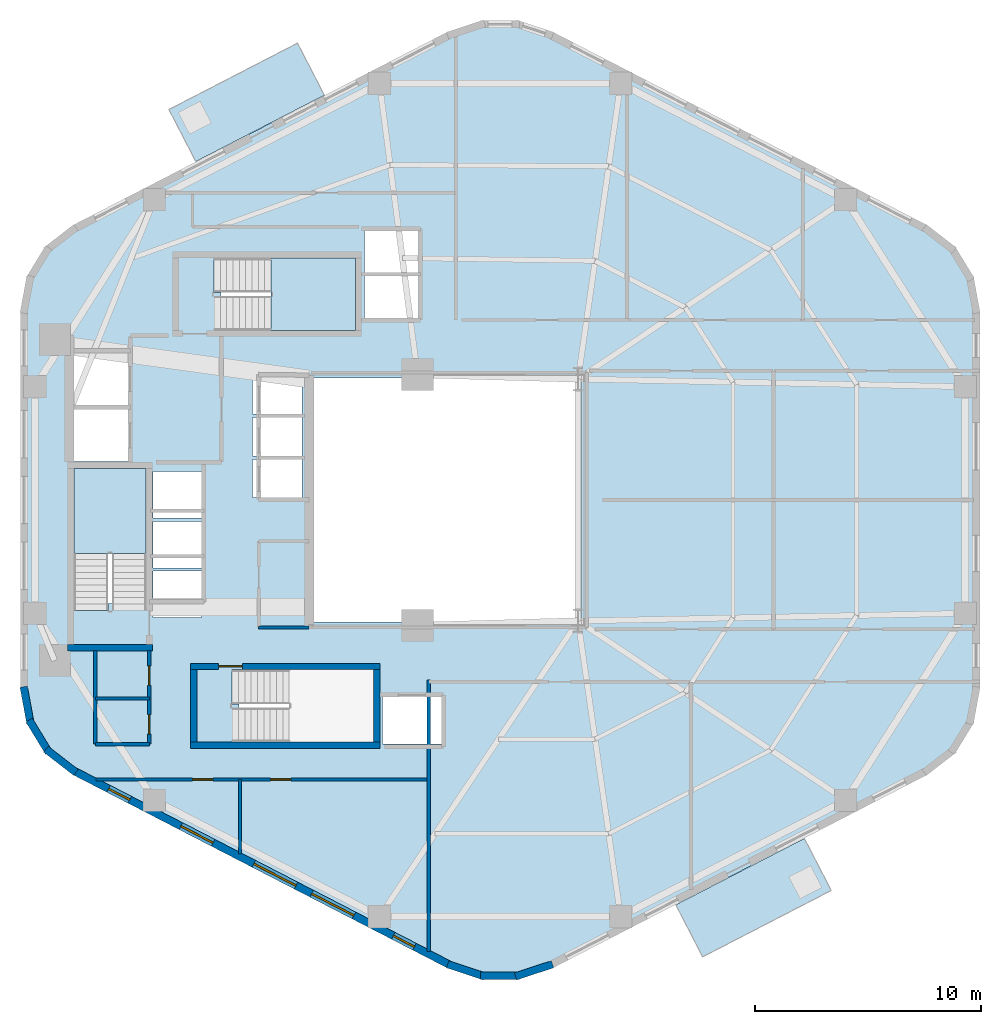
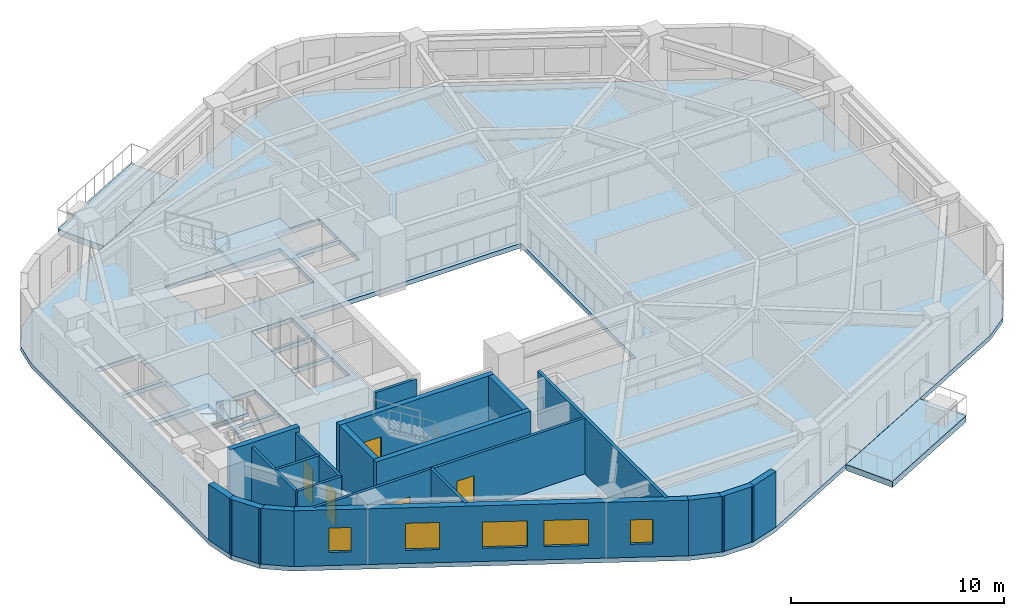
# One storey, part 2 of 8: 20 walls, 5 doors, 5 slabs, 5 windows, 10 openings, 2 elements without a shape of their own.
"""IFC4 building model written with IfcOpenShell, lengths in metres."""

from ifc_helpers import new_model, si_unit, direction, frame, frame_2d, origin, place, context, subcontext, project, spatial, polyline, rectangle, outline, extrude, material, layer, layer_set, type_object, element, fill, aggregate, save


model = new_model("IFC4")

# Units and contexts
model_context = context("Model", 3, precision=1e-05, world=origin(), true_north=direction((0.0, 1.0)))
body_context = subcontext(model_context, "Body", "Model", "MODEL_VIEW")
ifc_project = project(units=[si_unit("LENGTHUNIT", "METRE"), si_unit("AREAUNIT", "SQUARE_METRE"), si_unit("VOLUMEUNIT", "CUBIC_METRE"), si_unit("PLANEANGLEUNIT", "RADIAN"), si_unit("MASSUNIT", "GRAM", prefix="KILO"), si_unit("THERMODYNAMICTEMPERATUREUNIT", "KELVIN"), si_unit("POWERUNIT", "WATT")], contexts=[model_context])

# Site, building, storey
site_placement = place(None, origin())
site = spatial("IfcSite", under=ifc_project, at=site_placement, CompositionType="ELEMENT")
building_placement = place(site_placement, origin())
building = spatial("IfcBuilding", under=site, at=building_placement, Name="Skarre Station Tower", CompositionType="ELEMENT")
storey_placement = place(building_placement, frame((0.0, 0.0, 153.300048828125)))
storey = spatial("IfcBuildingStorey", under=building, at=storey_placement, Name="L41", CompositionType="ELEMENT", Elevation=153.300048828125)

# Slabs
ifc_material_1 = material(Name="Precast concrete C50/60", Category="concrete")
ifc_layer_1 = layer(ifc_material_1, 0.340087890625, Name="Precast concrete C50/60")
ifc_layer_set_1 = layer_set([ifc_layer_1], Name="Precast concrete C50/60")
slab_type_1 = type_object("IfcSlabType", Name="Planted Tree-Balcony Cantilever Slab 340", PredefinedType="FLOOR", material=ifc_layer_set_1)
slab_1_placement = place(storey_placement, frame((0.0, 0.0, -0.340087890625)))
element("IfcSlab", 1, at=slab_1_placement, inside=storey, type_object=slab_type_1, Name="L41 Planted Tree-Balcony Deck TB-L41-F1", PredefinedType="FLOOR", context=body_context, shape_type="SweptSolid", body=[
    extrude(outline(polyline([(28.22998046875, 41.902099609375), (22.54296875, 38.966064453125), (21.35498046875, 41.26806640625), (27.0419921875, 44.202880859375), (28.22998046875, 41.902099609375)])), origin(), (0.0, 0.0, 1.0), 0.340087890625),
])
slab_2_placement = place(storey_placement, frame((0.0, 0.0, -0.340087890625)))
element("IfcSlab", 2, at=slab_2_placement, inside=storey, type_object=slab_type_1, Name="L41 Planted Tree-Balcony Deck TB-L41-F4", PredefinedType="FLOOR", context=body_context, shape_type="SweptSolid", body=[
    extrude(outline(polyline([(43.77001953125, 6.097900390625), (49.45703125, 9.033935546875), (50.64501953125, 6.73193359375), (44.9580078125, 3.797119140625), (43.77001953125, 6.097900390625)])), origin(), (0.0, 0.0, 1.0), 0.340087890625),
])

# Stair, slab
ifc_material_2 = material(Name="Concrete C40/50", Category="concrete")
stair_type_1 = type_object("IfcStairType", Name="Reinforced Concrete Exit Stair ST-1", PredefinedType="HALF_TURN_STAIR", material=ifc_material_2)
stair_1_placement = place(storey_placement, origin())
stair_1 = element("IfcStair", 3, at=stair_1_placement, inside=storey, type_object=stair_type_1, Name="L41 Core Exit Stair ST-1", PredefinedType="HALF_TURN_STAIR")
ifc_layer_2 = layer(ifc_material_2, 0.219970703125, Name="Concrete C40/50")
ifc_layer_set_2 = layer_set([ifc_layer_2], Name="Concrete C40/50")
slab_type_2 = type_object("IfcSlabType", Name="Reinforced Concrete Stair & Ramp Landing 220", PredefinedType="LANDING", material=ifc_layer_set_2)
slab_3_placement = place(storey_placement, frame((0.0, 0.0, 1.52490234375)))
slab_3 = element("IfcSlab", 4, at=slab_3_placement, type_object=slab_type_2, Name="ST-1 landing 1", PredefinedType="LANDING", context=body_context, shape_type="SweptSolid", body=[
    extrude(outline(polyline([(20.35009765625, 21.639892578125), (20.35009765625, 25.39990234375), (17.14990234375, 25.39990234375), (17.14990234375, 21.639892578125), (20.35009765625, 21.639892578125)])), origin(), (0.0, 0.0, 1.0), 0.199951171875),
])
aggregate(stair_1, [slab_3])

stair_type_2 = type_object("IfcStairType", Name="Reinforced Concrete Exit Stair ST-3", PredefinedType="HALF_TURN_STAIR", material=ifc_material_2)
stair_2_placement = place(storey_placement, origin())
stair_2 = element("IfcStair", 5, at=stair_2_placement, inside=storey, type_object=stair_type_2, Name="L41 Core Exit Stair ST-3", PredefinedType="HALF_TURN_STAIR")
slab_4_placement = place(storey_placement, frame((0.0, 0.0, 1.52490234375)))
slab_4 = element("IfcSlab", 6, at=slab_4_placement, type_object=slab_type_2, Name="ST-3 landing 1", PredefinedType="LANDING", context=body_context, shape_type="SweptSolid", body=[
    extrude(outline(polyline([(25.8701171875, 31.5), (29.60009765625, 31.5), (29.60009765625, 34.699951171875), (25.8701171875, 34.699951171875), (25.8701171875, 31.5)])), origin(), (0.0, 0.0, 1.0), 0.199951171875),
])
aggregate(stair_2, [slab_4])

# Slab
ifc_material_3 = material(Name="Concrete C50/60", Category="concrete")
ifc_layer_3 = layer(ifc_material_3, 0.260009765625, Name="Concrete C50/60")
ifc_layer_set_3 = layer_set([ifc_layer_3], Name="Concrete C50/60")
slab_type_3 = type_object("IfcSlabType", Name="Tower Typical Composite Floor Slab 260", PredefinedType="FLOOR", material=ifc_layer_set_3)
slab_5_placement = place(storey_placement, frame((0.0, 0.0, -0.260009765625)))
element("IfcSlab", 7, at=slab_5_placement, inside=storey, type_object=slab_type_3, Name="L41 Zone 2 Structural Floor Slab", PredefinedType="FLOOR", context=body_context, shape_type="SweptSolid", body=[
    extrude(outline(polyline([(57.218017578125, 32.35205078125), (56.93701171875, 33.873046875), (56.132080078125, 35.194091796875), (54.908935546875, 36.14111328125), (38.30908203125, 44.708984375), (36.7958984375, 45.2060546875), (35.2041015625, 45.2060546875), (33.69091796875, 44.708984375), (17.091064453125, 36.14111328125), (15.867919921875, 35.194091796875), (15.06298828125, 33.873046875), (14.781982421875, 32.35205078125), (14.781982421875, 15.64794921875), (15.06298828125, 14.126953125), (15.867919921875, 12.805908203125), (17.091064453125, 11.85888671875), (33.69091796875, 3.291015625), (35.2041015625, 2.7939453125), (36.7958984375, 2.7939453125), (38.30908203125, 3.291015625), (54.908935546875, 11.85888671875), (56.132080078125, 12.805908203125), (56.93701171875, 14.126953125), (57.218017578125, 15.64794921875), (57.218017578125, 32.35205078125)]), holes=[polyline([(18.669921875, 19.419921875), (18.669921875, 19.123046875), (17.14990234375, 19.123046875), (17.14990234375, 25.39990234375), (20.35009765625, 25.39990234375), (20.35009765625, 19.419921875), (18.669921875, 19.419921875)]), polyline([(24.449951171875, 14.97998046875), (24.153076171875, 14.97998046875), (24.153076171875, 16.5), (30.39990234375, 16.5), (30.39990234375, 13.300048828125), (24.449951171875, 13.300048828125), (24.449951171875, 14.97998046875)]), polyline([(23.64990234375, 33.179931640625), (23.35302734375, 33.179931640625), (23.35302734375, 34.699951171875), (29.60009765625, 34.699951171875), (29.60009765625, 31.5), (23.64990234375, 31.5), (23.64990234375, 33.179931640625)]), polyline([(17.14990234375, 28.0), (19.550048828125, 28.0), (19.550048828125, 25.699951171875), (17.14990234375, 25.699951171875), (17.14990234375, 28.0)]), polyline([(17.14990234375, 30.5), (19.550048828125, 30.5), (19.550048828125, 28.199951171875), (17.14990234375, 28.199951171875), (17.14990234375, 30.5)]), polyline([(30.800048828125, 15.300048828125), (33.39990234375, 15.300048828125), (33.39990234375, 13.199951171875), (30.800048828125, 13.199951171875), (30.800048828125, 15.300048828125)]), polyline([(25.050048828125, 25.800048828125), (27.25, 25.800048828125), (27.25, 24.10009765625), (25.050048828125, 24.10009765625), (25.050048828125, 25.800048828125)]), polyline([(25.050048828125, 27.64990234375), (27.25, 27.64990234375), (27.25, 25.949951171875), (25.050048828125, 25.949951171875), (25.050048828125, 27.64990234375)]), polyline([(25.050048828125, 29.5), (27.25, 29.5), (27.25, 27.800048828125), (25.050048828125, 27.800048828125), (25.050048828125, 29.5)]), polyline([(20.64990234375, 20.85009765625), (22.800048828125, 20.85009765625), (22.800048828125, 18.800048828125), (20.64990234375, 18.800048828125), (20.64990234375, 20.85009765625)]), polyline([(20.64990234375, 23.050048828125), (22.800048828125, 23.050048828125), (22.800048828125, 21.0), (20.64990234375, 21.0), (20.64990234375, 23.050048828125)]), polyline([(20.64990234375, 25.25), (22.800048828125, 25.25), (22.800048828125, 23.199951171875), (20.64990234375, 23.199951171875), (20.64990234375, 25.25)]), polyline([(30.0, 33.89990234375), (32.39990234375, 33.89990234375), (32.39990234375, 32.050048828125), (30.0, 32.050048828125), (30.0, 33.89990234375)]), polyline([(30.0, 35.89990234375), (32.39990234375, 35.89990234375), (32.39990234375, 34.050048828125), (30.0, 34.050048828125), (30.0, 35.89990234375)]), polyline([(27.60009765625, 29.39990234375), (39.60009765625, 29.39990234375), (39.60009765625, 18.60009765625), (27.60009765625, 18.60009765625), (27.60009765625, 29.39990234375)])]), origin(), (0.0, 0.0, 1.0), 0.260009765625),
])

# Walls
ifc_material_4 = material(Name="Acoustic Steel-Stud Gypsum Partition", Category="steel")
ifc_layer_4 = layer(ifc_material_4, 0.14990234375, Name="Acoustic Steel-Stud Gypsum Partition")
ifc_layer_set_4 = layer_set([ifc_layer_4], Name="Acoustic Steel-Stud Gypsum Partition")
wall_type_1 = type_object("IfcWallType", Name="Fire-Rated Corridor Acoustic Partition 150", PredefinedType="PARTITIONING", material=ifc_layer_set_4)
wall_1_placement = place(storey_placement, frame((25.320068359375, 18.360107421875, 0.0), z_axis=(0.0, 0.0, 1.0), x_axis=(1.0, 0.0, 0.0)))
element("IfcWall", 8, at=wall_1_placement, inside=storey, type_object=wall_type_1, Name="L41 Interior Partition WL-PT-L41-RC1-S", PredefinedType="PARTITIONING", context=body_context, shape_type="SweptSolid", body=[
    extrude(rectangle(XDim=2.22998046875, YDim=0.14990234375, at=frame_2d((1.114990234375, 0.0))), origin(), (0.0, 0.0, 1.0), 3.18994140625),
])
wall_2_placement = place(storey_placement, frame((18.10009765625, 17.340087890625, 0.0), z_axis=(0.0, 0.0, 1.0), x_axis=(0.0, -1.0, 0.0)))
element("IfcWall", 9, at=wall_2_placement, inside=storey, type_object=wall_type_1, Name="L41 Interior Partition WL-PT-L41-CSVC-W", PredefinedType="PARTITIONING", context=body_context, shape_type="SweptSolid", body=[
    extrude(rectangle(XDim=4.14013671875, YDim=0.14990234375, at=frame_2d((2.070068359375, 0.0))), origin(), (0.0, 0.0, 1.0), 3.18994140625),
])
for number, where, z_axis, x_axis, name in (
    (10, (18.10009765625, 13.199951171875, 0.0), (0.0, 0.0, 1.0), (1.0, 0.0, 0.0), "L41 Interior Partition WL-PT-L41-CSVC-S"),
    (11, (18.10009765625, 15.219970703125, 0.0), (0.0, 0.0, 1.0), (1.0, 0.0, 0.0), "L41 Interior Partition WL-PT-L41-CSVC-M"),
):
    element("IfcWall", number, at=place(storey_placement, frame(where, z_axis=z_axis, x_axis=x_axis)), inside=storey, type_object=wall_type_1, Name=name, PredefinedType="PARTITIONING", context=body_context, shape_type="SweptSolid", body=[
        extrude(rectangle(XDim=2.389892578125, YDim=0.14990234375, at=frame_2d((1.19482421875, 0.0))), origin(), (0.0, 0.0, 1.0), 3.18994140625),
    ])

# Wall, openings, doors
wall_3_placement = place(storey_placement, frame((20.489990234375, 13.199951171875, 0.0), z_axis=(0.0, 0.0, 1.0), x_axis=(0.0, 1.0, 0.0)))
wall_3 = element("IfcWall", 12, at=wall_3_placement, inside=storey, type_object=wall_type_1, Name="L41 Interior Partition WL-PT-L41-CSVC-E", PredefinedType="PARTITIONING", context=body_context, shape_type="SweptSolid", body=[
    extrude(rectangle(XDim=4.14013671875, YDim=0.14990234375, at=frame_2d((2.070068359375, 0.0))), origin(), (0.0, 0.0, 1.0), 3.18994140625),
])
opening_1_placement = place(wall_3_placement, frame((0.449951171875, 0.0, 0.0)))
opening_1 = element("IfcOpeningElement", 13, at=opening_1_placement, cuts=wall_3, Name="Opening DR-SVC86", PredefinedType="OPENING", context=body_context, shape_type="SweptSolid", body=[
    extrude(rectangle(XDim=0.860107421875, YDim=2.0, at=frame_2d((0.43017578125, 1.0))), frame((0.0, 0.0849609375, 0.0), z_axis=(0.0, -1.0, 0.0), x_axis=(1.0, 0.0, 0.0)), (0.0, 0.0, 1.0), 0.169921875),
])
opening_2_placement = place(wall_3_placement, frame((2.60009765625, 0.0, 0.0)))
opening_2 = element("IfcOpeningElement", 14, at=opening_2_placement, cuts=wall_3, Name="Opening DR-SVC86", PredefinedType="OPENING", context=body_context, shape_type="SweptSolid", body=[
    extrude(rectangle(XDim=0.860107421875, YDim=2.0, at=frame_2d((0.43017578125, 1.0))), frame((0.0, 0.0849609375, 0.0), z_axis=(0.0, -1.0, 0.0), x_axis=(1.0, 0.0, 0.0)), (0.0, 0.0, 1.0), 0.169921875),
])
ifc_material_5 = material(Name="Powder-Coated Hollow-Metal Acoustic Fire Leaf", Category="steel")
door_type_1 = type_object("IfcDoorType", Name="Compact Riser Fire Door FD60 860x2100", OperationType="SINGLE_SWING_LEFT", PredefinedType="DOOR", material=ifc_material_5)
door_1_placement = place(opening_1_placement, origin())
door_1 = element("IfcDoor", 15, at=door_1_placement, inside=storey, type_object=door_type_1, Name="L41 Vending Room Door", OperationType="SINGLE_SWING_LEFT", OverallHeight=2.0, OverallWidth=0.860107421875, PredefinedType="DOOR", context=body_context, shape_type="SweptSolid", body=[
    extrude(rectangle(XDim=0.860107421875, YDim=2.0, at=frame_2d((0.43017578125, 1.0))), frame((0.0, 0.02490234375, 0.0), z_axis=(0.0, -1.0, 0.0), x_axis=(1.0, 0.0, 0.0)), (0.0, 0.0, 1.0), 0.050048828125),
])
fill(opening_1, door_1)
door_2_placement = place(opening_2_placement, origin())
door_2 = element("IfcDoor", 16, at=door_2_placement, inside=storey, type_object=door_type_1, Name="L41 Linen Storage Door", OperationType="SINGLE_SWING_LEFT", OverallHeight=2.0, OverallWidth=0.860107421875, PredefinedType="DOOR", context=body_context, shape_type="SweptSolid", body=[
    extrude(rectangle(XDim=0.860107421875, YDim=2.0, at=frame_2d((0.43017578125, 1.0))), frame((0.0, 0.02490234375, 0.0), z_axis=(0.0, -1.0, 0.0), x_axis=(1.0, 0.0, 0.0)), (0.0, 0.0, 1.0), 0.050048828125),
])
fill(opening_2, door_2)

# Wall
wall_4_placement = place(storey_placement, frame((24.5, 8.35009765625, 0.0), z_axis=(0.0, 0.0, 1.0), x_axis=(0.0, 1.0, 0.0)))
element("IfcWall", 17, at=wall_4_placement, inside=storey, type_object=wall_type_1, Name="L41 Interior Partition WL-PT-L41-SWP-M", PredefinedType="PARTITIONING", context=body_context, shape_type="SweptSolid", body=[
    extrude(rectangle(XDim=3.289794921875, YDim=0.14990234375, at=frame_2d((1.64501953125, 0.0))), origin(), (0.0, 0.0, 1.0), 3.18994140625),
])

# Wall, openings, doors
wall_5_placement = place(storey_placement, frame((18.1259765625, 11.639892578125, 0.0), z_axis=(0.0, 0.0, 1.0), x_axis=(1.0, 0.0, 0.0)))
wall_5 = element("IfcWall", 18, at=wall_5_placement, inside=storey, type_object=wall_type_1, Name="L41 Interior Partition WL-PT-L41-SWP-N", PredefinedType="PARTITIONING", context=body_context, shape_type="SweptSolid", body=[
    extrude(rectangle(XDim=14.72412109375, YDim=0.14990234375, at=frame_2d((7.362060546875, 0.0))), origin(), (0.0, 0.0, 1.0), 3.18994140625),
])
opening_3_placement = place(wall_5_placement, frame((4.27392578125, 0.0, 0.0)))
opening_3 = element("IfcOpeningElement", 19, at=opening_3_placement, cuts=wall_5, Name="Opening DR-SVC90", PredefinedType="OPENING", context=body_context, shape_type="SweptSolid", body=[
    extrude(rectangle(XDim=0.89990234375, YDim=2.0, at=frame_2d((0.449951171875, 1.0))), frame((0.0, 0.0849609375, 0.0), z_axis=(0.0, -1.0, 0.0), x_axis=(1.0, 0.0, 0.0)), (0.0, 0.0, 1.0), 0.169921875),
])
opening_4_placement = place(wall_5_placement, frame((7.72412109375, 0.0, 0.0)))
opening_4 = element("IfcOpeningElement", 20, at=opening_4_placement, cuts=wall_5, Name="Opening DR-SVC90", PredefinedType="OPENING", context=body_context, shape_type="SweptSolid", body=[
    extrude(rectangle(XDim=0.89990234375, YDim=2.0, at=frame_2d((0.449951171875, 1.0))), frame((0.0, 0.0849609375, 0.0), z_axis=(0.0, -1.0, 0.0), x_axis=(1.0, 0.0, 0.0)), (0.0, 0.0, 1.0), 0.169921875),
])
door_type_2 = type_object("IfcDoorType", Name="Service & Riser Fire Door FD60 900x2100", OperationType="SINGLE_SWING_LEFT", PredefinedType="DOOR", material=ifc_material_5)
door_3_placement = place(opening_3_placement, origin())
door_3 = element("IfcDoor", 21, at=door_3_placement, inside=storey, type_object=door_type_2, Name="L41 Floor Public Toilets Door", OperationType="SINGLE_SWING_LEFT", OverallHeight=2.0, OverallWidth=0.89990234375, PredefinedType="DOOR", context=body_context, shape_type="SweptSolid", body=[
    extrude(rectangle(XDim=0.89990234375, YDim=2.0, at=frame_2d((0.449951171875, 1.0))), frame((0.0, 0.02490234375, 0.0), z_axis=(0.0, -1.0, 0.0), x_axis=(1.0, 0.0, 0.0)), (0.0, 0.0, 1.0), 0.050048828125),
])
fill(opening_3, door_3)
door_4_placement = place(opening_4_placement, origin())
door_4 = element("IfcDoor", 22, at=door_4_placement, inside=storey, type_object=door_type_2, Name="L41 Housekeeping Room Door", OperationType="SINGLE_SWING_LEFT", OverallHeight=2.0, OverallWidth=0.89990234375, PredefinedType="DOOR", context=body_context, shape_type="SweptSolid", body=[
    extrude(rectangle(XDim=0.89990234375, YDim=2.0, at=frame_2d((0.449951171875, 1.0))), frame((0.0, 0.02490234375, 0.0), z_axis=(0.0, -1.0, 0.0), x_axis=(1.0, 0.0, 0.0)), (0.0, 0.0, 1.0), 0.050048828125),
])
fill(opening_4, door_4)

# Wall, openings, windows
ifc_material_6 = material(Name="Precast concrete C45/55", Category="concrete")
ifc_layer_5 = layer(ifc_material_6, 0.340087890625, Name="Precast concrete C45/55")
ifc_layer_set_5 = layer_set([ifc_layer_5], Name="Precast concrete C45/55")
wall_type_2 = type_object("IfcWallType", Name="Nordic Honed Precast Facet Wall 340", PredefinedType="STANDARD", material=ifc_layer_set_5)
wall_6_placement = place(storey_placement, frame((33.76904296875, 3.44189453125, 0.0), z_axis=(0.0, 0.0, 1.0), x_axis=(-0.888613612362, 0.458656568606, 0.0)))
wall_6 = element("IfcWall", 23, at=wall_6_placement, inside=storey, type_object=wall_type_2, Name="L41 Facet 3 Nordic Precast Masonry Wall", PredefinedType="STANDARD", context=body_context, shape_type="SweptSolid", body=[
    extrude(rectangle(XDim=18.680908203125, YDim=0.340087890625, at=frame_2d((9.34033203125, 0.0))), origin(), (0.0, 0.0, 1.0), 3.18994140625),
])
opening_5_placement = place(wall_6_placement, frame((1.75, 0.0, 0.75)))
opening_5 = element("IfcOpeningElement", 24, at=opening_5_placement, cuts=wall_6, Name="Opening WN-SLT", PredefinedType="OPENING", context=body_context, shape_type="SweptSolid", body=[
    extrude(rectangle(XDim=1.050048828125, YDim=1.39990234375, at=frame_2d((0.52490234375, 0.699951171875))), frame((0.0, 0.179931640625, 0.0), z_axis=(0.0, -1.0, 0.0), x_axis=(1.0, 0.0, 0.0)), (0.0, 0.0, 1.0), 0.360107421875),
])
opening_6_placement = place(wall_6_placement, frame((4.764892578125, 0.0, 0.75)))
opening_6 = element("IfcOpeningElement", 25, at=opening_6_placement, cuts=wall_6, Name="Opening WN-Z2B", PredefinedType="OPENING", context=body_context, shape_type="SweptSolid", body=[
    extrude(rectangle(XDim=2.10009765625, YDim=1.5, at=frame_2d((1.050048828125, 0.75))), frame((0.0, 0.179931640625, 0.0), z_axis=(0.0, -1.0, 0.0), x_axis=(1.0, 0.0, 0.0)), (0.0, 0.0, 1.0), 0.360107421875),
])
opening_7_placement = place(wall_6_placement, frame((7.64404296875, 0.0, 0.75)))
opening_7 = element("IfcOpeningElement", 26, at=opening_7_placement, cuts=wall_6, Name="Opening WN-Z2B", PredefinedType="OPENING", context=body_context, shape_type="SweptSolid", body=[
    extrude(rectangle(XDim=2.10009765625, YDim=1.5, at=frame_2d((1.050048828125, 0.75))), frame((0.0, 0.179931640625, 0.0), z_axis=(0.0, -1.0, 0.0), x_axis=(1.0, 0.0, 0.0)), (0.0, 0.0, 1.0), 0.360107421875),
])
opening_8_placement = place(wall_6_placement, frame((11.77392578125, 0.0, 0.75)))
opening_8 = element("IfcOpeningElement", 27, at=opening_8_placement, cuts=wall_6, Name="Opening WN-Z2A", PredefinedType="OPENING", context=body_context, shape_type="SweptSolid", body=[
    extrude(rectangle(XDim=1.60009765625, YDim=1.550048828125, at=frame_2d((0.800048828125, 0.77490234375))), frame((0.0, 0.179931640625, 0.0), z_axis=(0.0, -1.0, 0.0), x_axis=(1.0, 0.0, 0.0)), (0.0, 0.0, 1.0), 0.360107421875),
])
opening_9_placement = place(wall_6_placement, frame((15.919921875, 0.0, 0.75)))
opening_9 = element("IfcOpeningElement", 28, at=opening_9_placement, cuts=wall_6, Name="Opening WN-SLT", PredefinedType="OPENING", context=body_context, shape_type="SweptSolid", body=[
    extrude(rectangle(XDim=1.050048828125, YDim=1.39990234375, at=frame_2d((0.52490234375, 0.699951171875))), frame((0.0, 0.179931640625, 0.0), z_axis=(0.0, -1.0, 0.0), x_axis=(1.0, 0.0, 0.0)), (0.0, 0.0, 1.0), 0.360107421875),
])
ifc_material_7 = material(Name="Low-Iron Triple Glazing with Bronze Anodized Frame", Category="glass")
window_type_1 = type_object("IfcWindowType", Name="Nordic Corner Slot Window 1050x1400", PartitioningType="SINGLE_PANEL", PredefinedType="WINDOW", material=ifc_material_7)
window_1_placement = place(opening_5_placement, origin())
window_1 = element("IfcWindow", 29, at=window_1_placement, inside=storey, type_object=window_type_1, Name="L41 Facade Window WL-FAC-L41-F3-1", OverallHeight=1.39990234375, OverallWidth=1.050048828125, PartitioningType="SINGLE_PANEL", PredefinedType="WINDOW", context=body_context, shape_type="SweptSolid", body=[
    extrude(rectangle(XDim=1.050048828125, YDim=1.39990234375, at=frame_2d((0.52490234375, 0.699951171875))), frame((0.0, 0.030029296875, 0.0), z_axis=(0.0, -1.0, 0.0), x_axis=(1.0, 0.0, 0.0)), (0.0, 0.0, 1.0), 0.06005859375),
])
fill(opening_5, window_1)
window_2_placement = place(opening_9_placement, origin())
window_2 = element("IfcWindow", 30, at=window_2_placement, inside=storey, type_object=window_type_1, Name="L41 Facade Window WL-FAC-L41-F3-5", OverallHeight=1.39990234375, OverallWidth=1.050048828125, PartitioningType="SINGLE_PANEL", PredefinedType="WINDOW", context=body_context, shape_type="SweptSolid", body=[
    extrude(rectangle(XDim=1.050048828125, YDim=1.39990234375, at=frame_2d((0.52490234375, 0.699951171875))), frame((0.0, 0.030029296875, 0.0), z_axis=(0.0, -1.0, 0.0), x_axis=(1.0, 0.0, 0.0)), (0.0, 0.0, 1.0), 0.06005859375),
])
fill(opening_9, window_2)
window_type_2 = type_object("IfcWindowType", Name="Nordic Residential Tall Window 1600x1550", PartitioningType="SINGLE_PANEL", PredefinedType="WINDOW", material=ifc_material_7)
window_3_placement = place(opening_8_placement, origin())
window_3 = element("IfcWindow", 31, at=window_3_placement, inside=storey, type_object=window_type_2, Name="L41 Facade Window WL-FAC-L41-F3-4", OverallHeight=1.550048828125, OverallWidth=1.60009765625, PartitioningType="SINGLE_PANEL", PredefinedType="WINDOW", context=body_context, shape_type="SweptSolid", body=[
    extrude(rectangle(XDim=1.60009765625, YDim=1.550048828125, at=frame_2d((0.800048828125, 0.77490234375))), frame((0.0, 0.030029296875, 0.0), z_axis=(0.0, -1.0, 0.0), x_axis=(1.0, 0.0, 0.0)), (0.0, 0.0, 1.0), 0.06005859375),
])
fill(opening_8, window_3)
window_type_3 = type_object("IfcWindowType", Name="Nordic Residential Twin Window 2100x1500", PartitioningType="SINGLE_PANEL", PredefinedType="WINDOW", material=ifc_material_7)
window_4_placement = place(opening_6_placement, origin())
window_4 = element("IfcWindow", 32, at=window_4_placement, inside=storey, type_object=window_type_3, Name="L41 Facade Window WL-FAC-L41-F3-2", OverallHeight=1.5, OverallWidth=2.10009765625, PartitioningType="SINGLE_PANEL", PredefinedType="WINDOW", context=body_context, shape_type="SweptSolid", body=[
    extrude(rectangle(XDim=2.10009765625, YDim=1.5, at=frame_2d((1.050048828125, 0.75))), frame((0.0, 0.030029296875, 0.0), z_axis=(0.0, -1.0, 0.0), x_axis=(1.0, 0.0, 0.0)), (0.0, 0.0, 1.0), 0.06005859375),
])
fill(opening_6, window_4)
window_5_placement = place(opening_7_placement, origin())
window_5 = element("IfcWindow", 33, at=window_5_placement, inside=storey, type_object=window_type_3, Name="L41 Facade Window WL-FAC-L41-F3-3", OverallHeight=1.5, OverallWidth=2.10009765625, PartitioningType="SINGLE_PANEL", PredefinedType="WINDOW", context=body_context, shape_type="SweptSolid", body=[
    extrude(rectangle(XDim=2.10009765625, YDim=1.5, at=frame_2d((1.050048828125, 0.75))), frame((0.0, 0.030029296875, 0.0), z_axis=(0.0, -1.0, 0.0), x_axis=(1.0, 0.0, 0.0)), (0.0, 0.0, 1.0), 0.06005859375),
])
fill(opening_7, window_5)

# Walls
ifc_layer_6 = layer(ifc_material_6, 0.330078125, Name="Precast concrete C45/55")
ifc_layer_set_6 = layer_set([ifc_layer_6], Name="Precast concrete C45/55")
wall_type_3 = type_object("IfcWallType", Name="Nordic Rounded Corner Precast Wall 330", PredefinedType="STANDARD", material=ifc_layer_set_6)
wall_7_placement = place(storey_placement, frame((17.242919921875, 11.949951171875, 0.0), z_axis=(0.0, 0.0, 1.0), x_axis=(-0.790621329885, 0.612305408053, 0.0)))
element("IfcWall", 34, at=wall_7_placement, inside=storey, type_object=wall_type_3, Name="L41 Rounded Corner Precast Wall F3-1", PredefinedType="STANDARD", context=body_context, shape_type="SweptSolid", body=[
    extrude(rectangle(XDim=1.67578125, YDim=0.330078125, at=frame_2d((0.837890625, 0.0))), origin(), (0.0, 0.0, 1.0), 3.18994140625),
])
wall_8_placement = place(storey_placement, frame((16.04296875, 12.8359375, 0.0), z_axis=(0.0, 0.0, 1.0), x_axis=(-0.520519429557, 0.853849824883, 0.0)))
element("IfcWall", 35, at=wall_8_placement, inside=storey, type_object=wall_type_3, Name="L41 Rounded Corner Precast Wall F3-2", PredefinedType="STANDARD", context=body_context, shape_type="SweptSolid", body=[
    extrude(rectangle(XDim=1.67724609375, YDim=0.330078125, at=frame_2d((0.838623046875, 0.0))), origin(), (0.0, 0.0, 1.0), 3.18994140625),
])
wall_9_placement = place(storey_placement, frame((15.237060546875, 14.093017578125, 0.0), z_axis=(0.0, 0.0, 1.0), x_axis=(-0.181984991895, 0.983301308209, 0.0)))
element("IfcWall", 36, at=wall_9_placement, inside=storey, type_object=wall_type_3, Name="L41 Rounded Corner Precast Wall F3-3", PredefinedType="STANDARD", context=body_context, shape_type="SweptSolid", body=[
    extrude(rectangle(XDim=1.677001953125, YDim=0.330078125, at=frame_2d((0.83837890625, 0.0))), origin(), (0.0, 0.0, 1.0), 3.18994140625),
])
for number, where, z_axis, x_axis, name in (
    (37, (38.319091796875, 3.468017578125, 0.0), (0.0, 0.0, 1.0), (-0.949937416267, -0.312440242569, 0.0), "L41 Rounded Corner Precast Wall F4-1"),
    (38, (36.861083984375, 2.958984375, 0.0), (0.0, 0.0, 1.0), (-1.0, 0.0, 0.0), "L41 Rounded Corner Precast Wall F4-2"),
    (39, (35.31689453125, 2.929931640625, 0.0), (0.0, 0.0, 1.0), (-0.949937416267, 0.312440242569, 0.0), "L41 Rounded Corner Precast Wall F4-3"),
):
    element("IfcWall", number, at=place(storey_placement, frame(where, z_axis=z_axis, x_axis=x_axis)), inside=storey, type_object=wall_type_3, Name=name, PredefinedType="STANDARD", context=body_context, shape_type="SweptSolid", body=[
        extrude(rectangle(XDim=1.72216796875, YDim=0.330078125, at=frame_2d((0.861083984375, 0.0))), origin(), (0.0, 0.0, 1.0), 3.18994140625),
    ])
ifc_layer_7 = layer(ifc_material_3, 0.280029296875, Name="Concrete C50/60")
ifc_layer_set_7 = layer_set([ifc_layer_7], Name="Concrete C50/60")
wall_type_4 = type_object("IfcWallType", Name="RC Core Shear Wall 280", PredefinedType="SHEAR", material=ifc_layer_set_7)
wall_10_placement = place(storey_placement, frame((16.8701171875, 17.4599609375, 0.0), z_axis=(0.0, 0.0, 1.0), x_axis=(1.0, 0.0, 0.0)))
element("IfcWall", 40, at=wall_10_placement, inside=storey, type_object=wall_type_4, Name="L41 Stair ST-1 South Shear Wall", PredefinedType="SHEAR", context=body_context, shape_type="SweptSolid", body=[
    extrude(rectangle(XDim=3.759765625, YDim=0.280029296875, at=frame_2d((1.8798828125, 0.0))), origin(), (0.0, 0.0, 1.0), 3.449951171875),
])
wall_11_placement = place(storey_placement, frame((22.320068359375, 13.159912109375, 0.0), z_axis=(0.0, 0.0, 1.0), x_axis=(1.0, 0.0, 0.0)))
element("IfcWall", 41, at=wall_11_placement, inside=storey, type_object=wall_type_4, Name="L41 Stair ST-2 South Shear Wall", PredefinedType="SHEAR", context=body_context, shape_type="SweptSolid", body=[
    extrude(rectangle(XDim=8.35986328125, YDim=0.280029296875, at=frame_2d((4.179931640625, 0.0))), origin(), (0.0, 0.0, 1.0), 3.449951171875),
])

# Wall, opening, door
wall_12_placement = place(storey_placement, frame((30.679931640625, 16.639892578125, 0.0), z_axis=(0.0, 0.0, 1.0), x_axis=(-1.0, 0.0, 0.0)))
wall_12 = element("IfcWall", 42, at=wall_12_placement, inside=storey, type_object=wall_type_4, Name="L41 Stair ST-2 North Shear Wall", PredefinedType="SHEAR", context=body_context, shape_type="SweptSolid", body=[
    extrude(rectangle(XDim=8.35986328125, YDim=0.280029296875, at=frame_2d((4.179931640625, 0.0))), origin(), (0.0, 0.0, 1.0), 3.449951171875),
])
opening_10_placement = place(wall_12_placement, frame((6.080078125, 0.0, 0.0)))
opening_10 = element("IfcOpeningElement", 43, at=opening_10_placement, cuts=wall_12, Name="Opening DR-FD90", PredefinedType="OPENING", context=body_context, shape_type="SweptSolid", body=[
    extrude(rectangle(XDim=1.050048828125, YDim=2.0, at=frame_2d((0.52490234375, 1.0))), frame((0.0, 0.14990234375, 0.0), z_axis=(0.0, -1.0, 0.0), x_axis=(1.0, 0.0, 0.0)), (0.0, 0.0, 1.0), 0.300048828125),
])
ifc_material_8 = material(Name="Fire-Rated Insulated Steel Frame & Timber Core Leaf", Category="steel")
door_type_3 = type_object("IfcDoorType", Name="Stair & FSAE Lobby Fire Door FD90 1050x2150", OperationType="SINGLE_SWING_RIGHT", PredefinedType="DOOR", material=ifc_material_8)
door_5_placement = place(opening_10_placement, origin())
door_5 = element("IfcDoor", 44, at=door_5_placement, inside=storey, type_object=door_type_3, Name="L41 Stair ST-2 Exit Door", OperationType="SINGLE_SWING_RIGHT", OverallHeight=2.0, OverallWidth=1.050048828125, PredefinedType="DOOR", context=body_context, shape_type="SweptSolid", body=[
    extrude(rectangle(XDim=1.050048828125, YDim=2.0, at=frame_2d((0.52490234375, 1.0))), frame((0.0, 0.02490234375, 0.0), z_axis=(0.0, -1.0, 0.0), x_axis=(1.0, 0.0, 0.0)), (0.0, 0.0, 1.0), 0.050048828125),
])
fill(opening_10, door_5)

# Walls
for number, where, z_axis, x_axis, name in (
    (45, (22.4599609375, 16.5, 0.0), (0.0, 0.0, 1.0), (0.0, -1.0, 0.0), "L41 Stair ST-2 West Shear Wall"),
    (46, (30.5400390625, 13.300048828125, 0.0), (0.0, 0.0, 1.0), (0.0, 1.0, 0.0), "L41 Stair ST-2 East Shear Wall"),
):
    element("IfcWall", number, at=place(storey_placement, frame(where, z_axis=z_axis, x_axis=x_axis)), inside=storey, type_object=wall_type_4, Name=name, PredefinedType="SHEAR", context=body_context, shape_type="SweptSolid", body=[
        extrude(rectangle(XDim=3.199951171875, YDim=0.280029296875, at=frame_2d((1.60009765625, 0.0))), origin(), (0.0, 0.0, 1.0), 3.449951171875),
    ])
ifc_layer_8 = layer(ifc_material_4, 0.1650390625, Name="Acoustic Steel-Stud Gypsum Partition")
ifc_layer_set_8 = layer_set([ifc_layer_8], Name="Acoustic Steel-Stud Gypsum Partition")
wall_type_5 = type_object("IfcWallType", Name="Suite Demising Acoustic Partition 165", PredefinedType="PARTITIONING", material=ifc_layer_set_8)
wall_13_placement = place(storey_placement, frame((32.85009765625, 4.0400390625, 0.0), z_axis=(0.0, 0.0, 1.0), x_axis=(0.0, 1.0, 0.0)))
element("IfcWall", 47, at=wall_13_placement, inside=storey, type_object=wall_type_5, Name="L41 Interior Partition WL-PT-L41-SWP-E", PredefinedType="PARTITIONING", context=body_context, shape_type="SweptSolid", body=[
    extrude(rectangle(XDim=11.989990234375, YDim=0.1650390625, at=frame_2d((5.9951171875, 0.0))), origin(), (0.0, 0.0, 1.0), 3.18994140625),
])

save(model, "model.ifc")
